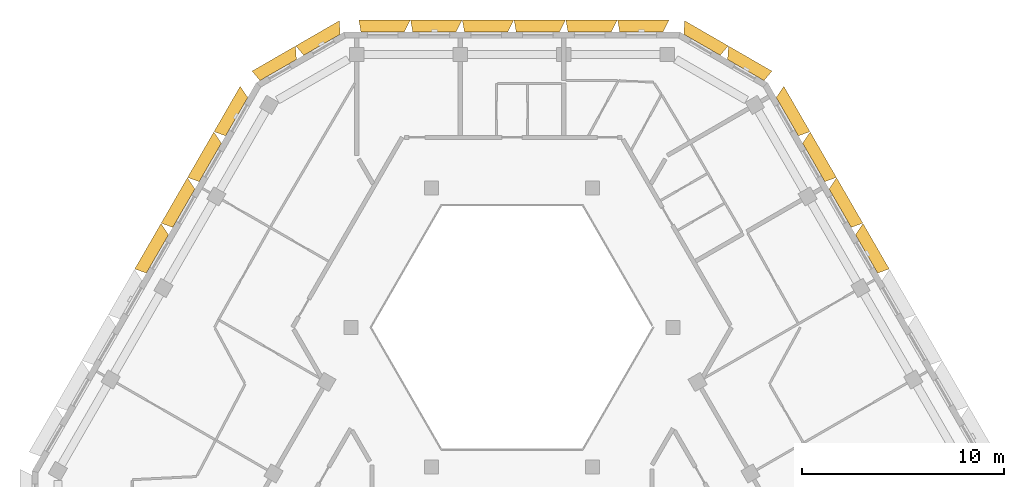
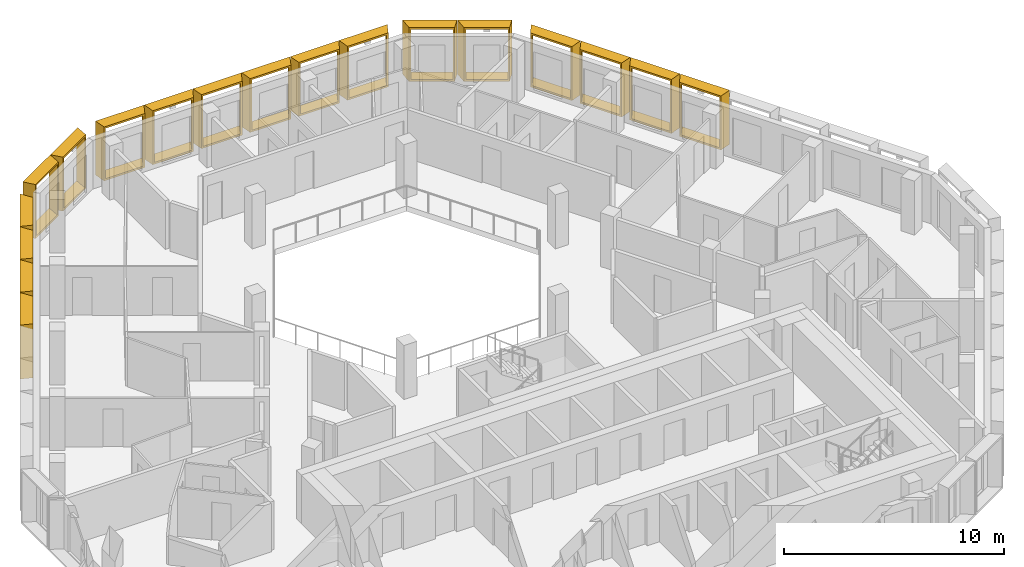
# One storey, part 16 of 16: 18 shading devices.
"""IFC4 building model written with IfcOpenShell, lengths in metres."""

from ifc_helpers import new_model, entity, si_unit, direction, frame, origin, place, context, subcontext, project, spatial, source, transform, mapped, material, type_object, type_shapes, element, save


model = new_model("IFC4")

# Units and contexts
model_context = context("Model", 3, precision=1e-05, world=origin(), true_north=direction((0.0, 1.0)))
body_context = subcontext(model_context, "Body", "Model", "MODEL_VIEW")
ifc_project = project(units=[si_unit("LENGTHUNIT", "METRE"), si_unit("AREAUNIT", "SQUARE_METRE"), si_unit("VOLUMEUNIT", "CUBIC_METRE"), si_unit("PLANEANGLEUNIT", "RADIAN"), si_unit("MASSUNIT", "GRAM", prefix="KILO")], contexts=[model_context])

# Site, building, storey
site_placement = place(None, origin())
site = spatial("IfcSite", under=ifc_project, at=site_placement, CompositionType="ELEMENT")
building_placement = place(site_placement, origin())
building = spatial("IfcBuilding", under=site, at=building_placement, Name="Beryl Residences", CompositionType="ELEMENT")
storey_placement = place(building_placement, frame((0.0, 0.0, 232.800048828125)))
storey = spatial("IfcBuildingStorey", under=building, at=storey_placement, Name="L72", CompositionType="ELEMENT", Elevation=232.800048828125)

# Shading devices
ifc_material_1 = material(Name="Aluminium pale anodised", Category="aluminium")
shading_device_type_1 = type_object("IfcShadingDeviceType", Name="FR250-60B OUTER SKIN frame 600 mm deep, splay 26/10 deg, 2500 x 3000 mm cell", PredefinedType="USERDEFINED", material=ifc_material_1)
cartesian_point_1 = entity("IfcCartesianPoint", [-1.04052734375, 0.0])
cartesian_point_2 = entity("IfcCartesianPoint", [-0.951416015625, 0.10009765625])
cartesian_point_3 = entity("IfcCartesianPoint", [-1.333251953125, 0.0])
cartesian_point_4 = entity("IfcCartesianPoint", [-1.244140625, 0.10009765625])
shared_shape_1 = source(origin(), body_context, "Body", "SweptSolid", [
    entity("IfcExtrudedAreaSolidTapered", entity("IfcArbitraryProfileDefWithVoids", "AREA", None, entity("IfcPolyline", [cartesian_point_1, entity("IfcCartesianPoint", [1.04052734375, 0.0]), entity("IfcCartesianPoint", [1.04052734375, 3.0]), entity("IfcCartesianPoint", [-1.04052734375, 3.0]), cartesian_point_1]), [entity("IfcPolyline", [cartesian_point_2, entity("IfcCartesianPoint", [0.959228515625, 0.10009765625]), entity("IfcCartesianPoint", [0.959228515625, 2.89990234375]), entity("IfcCartesianPoint", [-0.951416015625, 2.89990234375]), cartesian_point_2])]), entity("IfcAxis2Placement3D", entity("IfcCartesianPoint", [0.0, 0.0, 0.0]), entity("IfcDirection", [0.0, 1.0, 0.0]), entity("IfcDirection", [-1.0, 0.0, 0.0])), entity("IfcDirection", [0.0, 0.0, 1.0]), 0.60009765625, entity("IfcArbitraryProfileDefWithVoids", "AREA", None, entity("IfcPolyline", [cartesian_point_3, entity("IfcCartesianPoint", [1.146240234375, 0.0]), entity("IfcCartesianPoint", [1.146240234375, 3.0]), entity("IfcCartesianPoint", [-1.333251953125, 3.0]), cartesian_point_3]), [entity("IfcPolyline", [cartesian_point_4, entity("IfcCartesianPoint", [1.06494140625, 0.10009765625]), entity("IfcCartesianPoint", [1.06494140625, 2.89990234375]), entity("IfcCartesianPoint", [-1.244140625, 2.89990234375]), cartesian_point_4])])),
])
type_shapes(shading_device_type_1, [shared_shape_1])
for number, where, z_axis, x_axis, name in (
    (1, (-9.39599609375, 21.97509765625, 0.0), (0.0, 0.0, 1.0), (0.866025403784, 0.5, 0.0), "FR250-60B frame L72 N-NW 1"),
    (2, (-11.56103515625, 20.72509765625, 0.0), (0.0, 0.0, 1.0), (0.866025403784, 0.5, 0.0), "FR250-60B frame L72 N-NW 2"),
):
    element("IfcShadingDevice", number, at=place(storey_placement, frame(where, z_axis=z_axis, x_axis=x_axis)), inside=storey, type_object=shading_device_type_1, Name=name, ObjectType="OUTER SKIN", PredefinedType="USERDEFINED", context=body_context, shape_type="MappedRepresentation", body=[
        mapped(shared_shape_1, transform((0.0, 0.0, 0.0))),
    ])
ifc_material_2 = material(Name="Aluminium pale anodised", Category="aluminium")
shading_device_type_2 = type_object("IfcShadingDeviceType", Name="FR250-60C OUTER SKIN frame 600 mm deep, splay 10/26 deg, 2500 x 3000 mm cell", PredefinedType="USERDEFINED", material=ifc_material_2)
cartesian_point_5 = entity("IfcCartesianPoint", [-1.04052734375, 0.0])
cartesian_point_6 = entity("IfcCartesianPoint", [-0.959228515625, 0.10009765625])
cartesian_point_7 = entity("IfcCartesianPoint", [-1.146240234375, 0.0])
cartesian_point_8 = entity("IfcCartesianPoint", [-1.06494140625, 0.10009765625])
shared_shape_2 = source(origin(), body_context, "Body", "SweptSolid", [
    entity("IfcExtrudedAreaSolidTapered", entity("IfcArbitraryProfileDefWithVoids", "AREA", None, entity("IfcPolyline", [cartesian_point_5, entity("IfcCartesianPoint", [1.04052734375, 0.0]), entity("IfcCartesianPoint", [1.04052734375, 3.0]), entity("IfcCartesianPoint", [-1.04052734375, 3.0]), cartesian_point_5]), [entity("IfcPolyline", [cartesian_point_6, entity("IfcCartesianPoint", [0.951416015625, 0.10009765625]), entity("IfcCartesianPoint", [0.951416015625, 2.89990234375]), entity("IfcCartesianPoint", [-0.959228515625, 2.89990234375]), cartesian_point_6])]), entity("IfcAxis2Placement3D", entity("IfcCartesianPoint", [0.0, 0.0, 0.0]), entity("IfcDirection", [0.0, 1.0, 0.0]), entity("IfcDirection", [-1.0, 0.0, 0.0])), entity("IfcDirection", [0.0, 0.0, 1.0]), 0.60009765625, entity("IfcArbitraryProfileDefWithVoids", "AREA", None, entity("IfcPolyline", [cartesian_point_7, entity("IfcCartesianPoint", [1.333251953125, 0.0]), entity("IfcCartesianPoint", [1.333251953125, 3.0]), entity("IfcCartesianPoint", [-1.146240234375, 3.0]), cartesian_point_7]), [entity("IfcPolyline", [cartesian_point_8, entity("IfcCartesianPoint", [1.244140625, 0.10009765625]), entity("IfcCartesianPoint", [1.244140625, 2.89990234375]), entity("IfcCartesianPoint", [-1.06494140625, 2.89990234375]), cartesian_point_8])])),
])
type_shapes(shading_device_type_2, [shared_shape_2])
for number, where, z_axis, x_axis, name in (
    (3, (11.56103515625, 20.72509765625, 0.0), (0.0, 0.0, 1.0), (0.866025403784, -0.5, 0.0), "FR250-60C frame L72 NE-N 1"),
    (4, (9.39599609375, 21.97509765625, 0.0), (0.0, 0.0, 1.0), (0.866025403784, -0.5, 0.0), "FR250-60C frame L72 NE-N 2"),
):
    element("IfcShadingDevice", number, at=place(storey_placement, frame(where, z_axis=z_axis, x_axis=x_axis)), inside=storey, type_object=shading_device_type_2, Name=name, ObjectType="OUTER SKIN", PredefinedType="USERDEFINED", context=body_context, shape_type="MappedRepresentation", body=[
        mapped(shared_shape_2, transform((0.0, 0.0, 0.0))),
    ])
ifc_material_3 = material(Name="Aluminium pale anodised", Category="aluminium")
shading_device_type_3 = type_object("IfcShadingDeviceType", Name="FR256-60B OUTER SKIN frame 600 mm deep, splay 26/10 deg, 2560 x 3000 mm cell", PredefinedType="USERDEFINED", material=ifc_material_3)
cartesian_point_9 = entity("IfcCartesianPoint", [-1.070556640625, 0.0])
cartesian_point_10 = entity("IfcCartesianPoint", [-0.9814453125, 0.10009765625])
cartesian_point_11 = entity("IfcCartesianPoint", [-1.363037109375, 0.0])
cartesian_point_12 = entity("IfcCartesianPoint", [-1.274169921875, 0.10009765625])
shared_shape_3 = source(origin(), body_context, "Body", "SweptSolid", [
    entity("IfcExtrudedAreaSolidTapered", entity("IfcArbitraryProfileDefWithVoids", "AREA", None, entity("IfcPolyline", [cartesian_point_9, entity("IfcCartesianPoint", [1.070556640625, 0.0]), entity("IfcCartesianPoint", [1.070556640625, 3.0]), entity("IfcCartesianPoint", [-1.070556640625, 3.0]), cartesian_point_9]), [entity("IfcPolyline", [cartesian_point_10, entity("IfcCartesianPoint", [0.9892578125, 0.10009765625]), entity("IfcCartesianPoint", [0.9892578125, 2.89990234375]), entity("IfcCartesianPoint", [-0.9814453125, 2.89990234375]), cartesian_point_10])]), entity("IfcAxis2Placement3D", entity("IfcCartesianPoint", [0.0, 0.0, 0.0]), entity("IfcDirection", [0.0, 1.0, 0.0]), entity("IfcDirection", [-1.0, 0.0, 0.0])), entity("IfcDirection", [0.0, 0.0, 1.0]), 0.60009765625, entity("IfcArbitraryProfileDefWithVoids", "AREA", None, entity("IfcPolyline", [cartesian_point_11, entity("IfcCartesianPoint", [1.17626953125, 0.0]), entity("IfcCartesianPoint", [1.17626953125, 3.0]), entity("IfcCartesianPoint", [-1.363037109375, 3.0]), cartesian_point_11]), [entity("IfcPolyline", [cartesian_point_12, entity("IfcCartesianPoint", [1.094970703125, 0.10009765625]), entity("IfcCartesianPoint", [1.094970703125, 2.89990234375]), entity("IfcCartesianPoint", [-1.274169921875, 2.89990234375]), cartesian_point_12])])),
])
type_shapes(shading_device_type_3, [shared_shape_3])
for number, where, z_axis, x_axis, name in (
    (5, (6.39892578125, 22.60009765625, 0.0), (0.0, 0.0, 1.0), (1.0, 0.0, 0.0), "FR256-60B frame L72 N 1"),
    (6, (3.840087890625, 22.60009765625, 0.0), (0.0, 0.0, 1.0), (1.0, 0.0, 0.0), "FR256-60B frame L72 N 2"),
    (7, (1.280029296875, 22.60009765625, 0.0), (0.0, 0.0, 1.0), (1.0, 0.0, 0.0), "FR256-60B frame L72 N 3"),
    (8, (-1.279052734375, 22.60009765625, 0.0), (0.0, 0.0, 1.0), (1.0, 0.0, 0.0), "FR256-60B frame L72 N 4"),
    (9, (-3.839111328125, 22.60009765625, 0.0), (0.0, 0.0, 1.0), (1.0, 0.0, 0.0), "FR256-60B frame L72 N 5"),
    (10, (-6.39794921875, 22.60009765625, 0.0), (0.0, 0.0, 1.0), (1.0, 0.0, 0.0), "FR256-60B frame L72 N 6"),
):
    element("IfcShadingDevice", number, at=place(storey_placement, frame(where, z_axis=z_axis, x_axis=x_axis)), inside=storey, type_object=shading_device_type_3, Name=name, ObjectType="OUTER SKIN", PredefinedType="USERDEFINED", context=body_context, shape_type="MappedRepresentation", body=[
        mapped(shared_shape_3, transform((0.0, 0.0, 0.0))),
    ])
ifc_material_4 = material(Name="Aluminium pale anodised", Category="aluminium")
shading_device_type_4 = type_object("IfcShadingDeviceType", Name="FR261-60B OUTER SKIN frame 600 mm deep, splay 26/10 deg, 2610 x 3000 mm cell", PredefinedType="USERDEFINED", material=ifc_material_4)
cartesian_point_13 = entity("IfcCartesianPoint", [-1.095458984375, 0.0])
cartesian_point_14 = entity("IfcCartesianPoint", [-1.006591796875, 0.10009765625])
cartesian_point_15 = entity("IfcCartesianPoint", [-1.38818359375, 0.0])
cartesian_point_16 = entity("IfcCartesianPoint", [-1.299072265625, 0.10009765625])
shared_shape_4 = source(origin(), body_context, "Body", "SweptSolid", [
    entity("IfcExtrudedAreaSolidTapered", entity("IfcArbitraryProfileDefWithVoids", "AREA", None, entity("IfcPolyline", [cartesian_point_13, entity("IfcCartesianPoint", [1.095458984375, 0.0]), entity("IfcCartesianPoint", [1.095458984375, 3.0]), entity("IfcCartesianPoint", [-1.095458984375, 3.0]), cartesian_point_13]), [entity("IfcPolyline", [cartesian_point_14, entity("IfcCartesianPoint", [1.01416015625, 0.10009765625]), entity("IfcCartesianPoint", [1.01416015625, 2.89990234375]), entity("IfcCartesianPoint", [-1.006591796875, 2.89990234375]), cartesian_point_14])]), entity("IfcAxis2Placement3D", entity("IfcCartesianPoint", [0.0, 0.0, 0.0]), entity("IfcDirection", [0.0, 1.0, 0.0]), entity("IfcDirection", [-1.0, 0.0, 0.0])), entity("IfcDirection", [0.0, 0.0, 1.0]), 0.60009765625, entity("IfcArbitraryProfileDefWithVoids", "AREA", None, entity("IfcPolyline", [cartesian_point_15, entity("IfcCartesianPoint", [1.201416015625, 0.0]), entity("IfcCartesianPoint", [1.201416015625, 3.0]), entity("IfcCartesianPoint", [-1.38818359375, 3.0]), cartesian_point_15]), [entity("IfcPolyline", [cartesian_point_16, entity("IfcCartesianPoint", [1.1201171875, 0.10009765625]), entity("IfcCartesianPoint", [1.1201171875, 2.89990234375]), entity("IfcCartesianPoint", [-1.299072265625, 2.89990234375]), cartesian_point_16])])),
])
type_shapes(shading_device_type_4, [shared_shape_4])
for number, where, z_axis, x_axis, name in (
    (11, (-13.614013671875, 18.4189453125, 0.0), (0.0, 0.0, 1.0), (0.5, 0.866025403784, 0.0), "FR261-60B frame L72 NW 1"),
    (12, (-14.9208984375, 16.156005859375, 0.0), (0.0, 0.0, 1.0), (0.5, 0.866025403784, 0.0), "FR261-60B frame L72 NW 2"),
    (13, (-16.22705078125, 13.89404296875, 0.0), (0.0, 0.0, 1.0), (0.5, 0.866025403784, 0.0), "FR261-60B frame L72 NW 3"),
    (14, (-17.532958984375, 11.631103515625, 0.0), (0.0, 0.0, 1.0), (0.5, 0.866025403784, 0.0), "FR261-60B frame L72 NW 4"),
):
    element("IfcShadingDevice", number, at=place(storey_placement, frame(where, z_axis=z_axis, x_axis=x_axis)), inside=storey, type_object=shading_device_type_4, Name=name, ObjectType="OUTER SKIN", PredefinedType="USERDEFINED", context=body_context, shape_type="MappedRepresentation", body=[
        mapped(shared_shape_4, transform((0.0, 0.0, 0.0))),
    ])
ifc_material_5 = material(Name="Aluminium pale anodised", Category="aluminium")
shading_device_type_5 = type_object("IfcShadingDeviceType", Name="FR261-60C OUTER SKIN frame 600 mm deep, splay 10/26 deg, 2610 x 3000 mm cell", PredefinedType="USERDEFINED", material=ifc_material_5)
cartesian_point_17 = entity("IfcCartesianPoint", [-1.095458984375, 0.0])
cartesian_point_18 = entity("IfcCartesianPoint", [-1.01416015625, 0.10009765625])
cartesian_point_19 = entity("IfcCartesianPoint", [-1.201416015625, 0.0])
cartesian_point_20 = entity("IfcCartesianPoint", [-1.1201171875, 0.10009765625])
shared_shape_5 = source(origin(), body_context, "Body", "SweptSolid", [
    entity("IfcExtrudedAreaSolidTapered", entity("IfcArbitraryProfileDefWithVoids", "AREA", None, entity("IfcPolyline", [cartesian_point_17, entity("IfcCartesianPoint", [1.095458984375, 0.0]), entity("IfcCartesianPoint", [1.095458984375, 3.0]), entity("IfcCartesianPoint", [-1.095458984375, 3.0]), cartesian_point_17]), [entity("IfcPolyline", [cartesian_point_18, entity("IfcCartesianPoint", [1.006591796875, 0.10009765625]), entity("IfcCartesianPoint", [1.006591796875, 2.89990234375]), entity("IfcCartesianPoint", [-1.01416015625, 2.89990234375]), cartesian_point_18])]), entity("IfcAxis2Placement3D", entity("IfcCartesianPoint", [0.0, 0.0, 0.0]), entity("IfcDirection", [0.0, 1.0, 0.0]), entity("IfcDirection", [-1.0, 0.0, 0.0])), entity("IfcDirection", [0.0, 0.0, 1.0]), 0.60009765625, entity("IfcArbitraryProfileDefWithVoids", "AREA", None, entity("IfcPolyline", [cartesian_point_19, entity("IfcCartesianPoint", [1.38818359375, 0.0]), entity("IfcCartesianPoint", [1.38818359375, 3.0]), entity("IfcCartesianPoint", [-1.201416015625, 3.0]), cartesian_point_19]), [entity("IfcPolyline", [cartesian_point_20, entity("IfcCartesianPoint", [1.299072265625, 0.10009765625]), entity("IfcCartesianPoint", [1.299072265625, 2.89990234375]), entity("IfcCartesianPoint", [-1.1201171875, 2.89990234375]), cartesian_point_20])])),
])
type_shapes(shading_device_type_5, [shared_shape_5])
for number, where, z_axis, x_axis, name in (
    (15, (17.532958984375, 11.631103515625, 0.0), (0.0, 0.0, 1.0), (0.5, -0.866025403784, 0.0), "FR261-60C frame L72 NE 5"),
    (16, (16.22705078125, 13.89404296875, 0.0), (0.0, 0.0, 1.0), (0.5, -0.866025403784, 0.0), "FR261-60C frame L72 NE 6"),
    (17, (14.9208984375, 16.156005859375, 0.0), (0.0, 0.0, 1.0), (0.5, -0.866025403784, 0.0), "FR261-60C frame L72 NE 7"),
    (18, (13.614013671875, 18.4189453125, 0.0), (0.0, 0.0, 1.0), (0.5, -0.866025403784, 0.0), "FR261-60C frame L72 NE 8"),
):
    element("IfcShadingDevice", number, at=place(storey_placement, frame(where, z_axis=z_axis, x_axis=x_axis)), inside=storey, type_object=shading_device_type_5, Name=name, ObjectType="OUTER SKIN", PredefinedType="USERDEFINED", context=body_context, shape_type="MappedRepresentation", body=[
        mapped(shared_shape_5, transform((0.0, 0.0, 0.0))),
    ])

save(model, "model.ifc")
